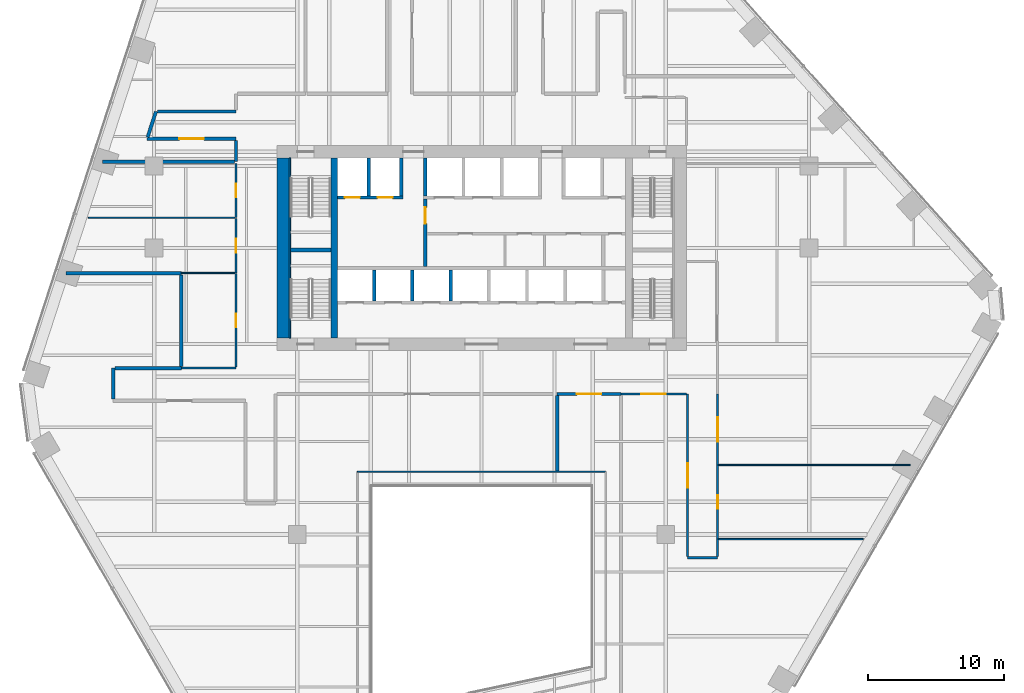
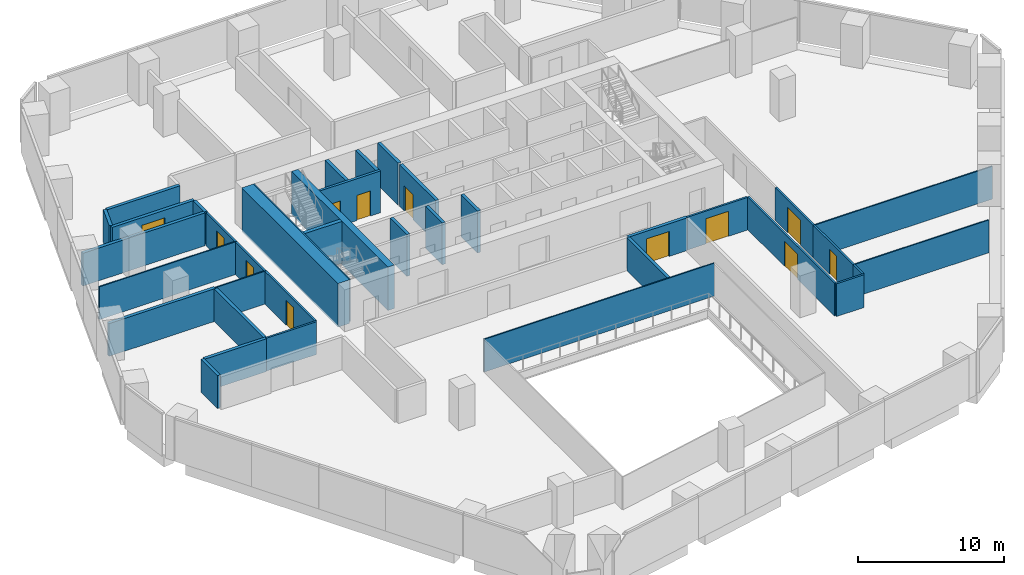
# One storey, part 14 of 21: 38 walls, 12 doors, 12 openings.
"""IFC4 building model written with IfcOpenShell, lengths in metres."""

from ifc_helpers import new_model, si_unit, direction, frame, frame_2d, origin, place, context, subcontext, project, spatial, rectangle, extrude, material, layer, layer_set, type_object, element, fill, save


model = new_model("IFC4")

# Units and contexts
model_context = context("Model", 3, precision=1e-05, world=origin(), true_north=direction((0.0, 1.0)))
body_context = subcontext(model_context, "Body", "Model", "MODEL_VIEW")
ifc_project = project(units=[si_unit("LENGTHUNIT", "METRE"), si_unit("AREAUNIT", "SQUARE_METRE"), si_unit("VOLUMEUNIT", "CUBIC_METRE"), si_unit("PLANEANGLEUNIT", "RADIAN"), si_unit("MASSUNIT", "GRAM", prefix="KILO")], contexts=[model_context])

# Site, building, storey
site_placement = place(None, origin())
site = spatial("IfcSite", under=ifc_project, at=site_placement, CompositionType="ELEMENT")
building_placement = place(site_placement, origin())
building = spatial("IfcBuilding", under=site, at=building_placement, Name="Isthmus Gate Tower", CompositionType="ELEMENT")
storey_placement = place(building_placement, frame((0.0, 0.0, 106.199951171875)))
storey = spatial("IfcBuildingStorey", under=building, at=storey_placement, Name="L25", CompositionType="ELEMENT", Elevation=106.199951171875)

# Wall, opening, door
ifc_material_1 = material(Name="Double-leaf acoustic stud wall, fire-rated", Category="gypsum")
ifc_layer_1 = layer(ifc_material_1, 0.25)
ifc_layer_set_1 = layer_set([ifc_layer_1], Name="ACOUSTIC WALL 250 60 MIN")
wall_type_1 = type_object("IfcWallType", Name="ACOUSTIC WALL 250 60 MIN", PredefinedType="PARTITIONING", material=ifc_layer_set_1)
wall_1_placement = place(storey_placement, frame((10.212890625, -3.199951171875, 0.0), z_axis=(0.0, 0.0, 1.0), x_axis=(-1.0, 0.0, 0.0)))
wall_1 = element("IfcWall", 1, at=wall_1_placement, inside=storey, type_object=wall_type_1, Name="L25 Acoustic Wall 250 60 Min", PredefinedType="PARTITIONING", context=body_context, shape_type="SweptSolid", body=[
    extrude(rectangle(XDim=4.673828125, YDim=0.25, at=frame_2d((2.3369140625, 0.0))), origin(), (0.0, 0.0, 1.0), 2.7412109375),
])
opening_1_placement = place(wall_1_placement, frame((1.43701171875, 0.0, 0.0)))
opening_1 = element("IfcOpeningElement", 2, at=opening_1_placement, cuts=wall_1, Name="Opening DT-T2C-15", PredefinedType="OPENING", context=body_context, shape_type="SweptSolid", body=[
    extrude(rectangle(XDim=1.800048828125, YDim=2.10009765625, at=frame_2d((0.89990234375, 1.050048828125))), frame((0.0, 0.135009765625, 0.0), z_axis=(0.0, -1.0, 0.0), x_axis=(1.0, 0.0, 0.0)), (0.0, 0.0, 1.0), 0.27001953125),
])
ifc_material_2 = material(Name="Solid core timber door leaf, fire-rated", Category="wood")
door_type_1 = type_object("IfcDoorType", Name="FIRE DOOR ACOUSTIC ROOM 1800 X 2100 60 MIN", OperationType="DOUBLE_DOOR_DOUBLE_SWING", PredefinedType="DOOR", material=ifc_material_2)
door_1_placement = place(opening_1_placement, origin())
door_1 = element("IfcDoor", 3, at=door_1_placement, inside=storey, type_object=door_type_1, Name="L25 room door", OperationType="DOUBLE_DOOR_DOUBLE_SWING", OverallHeight=2.10009765625, OverallWidth=1.800048828125, PredefinedType="DOOR", context=body_context, shape_type="SweptSolid", body=[
    extrude(rectangle(XDim=1.800048828125, YDim=2.10009765625, at=frame_2d((0.89990234375, 1.050048828125))), frame((0.0, 0.02490234375, 0.0), z_axis=(0.0, -1.0, 0.0), x_axis=(1.0, 0.0, 0.0)), (0.0, 0.0, 1.0), 0.050048828125),
])
fill(opening_1, door_1)

wall_2_placement = place(storey_placement, frame((-18.0, 15.5, 0.0), z_axis=(0.0, 0.0, 1.0), x_axis=(-1.0, 0.0, 0.0)))
wall_2 = element("IfcWall", 4, at=wall_2_placement, inside=storey, type_object=wall_type_1, Name="L25 Acoustic Wall 250 60 Min", PredefinedType="PARTITIONING", context=body_context, shape_type="SweptSolid", body=[
    extrude(rectangle(XDim=6.510986328125, YDim=0.25, at=frame_2d((3.25537109375, 0.0))), origin(), (0.0, 0.0, 1.0), 2.7412109375),
])
opening_2_placement = place(wall_2_placement, frame((2.35546875, 0.0, 0.0)))
opening_2 = element("IfcOpeningElement", 5, at=opening_2_placement, cuts=wall_2, Name="Opening DT-T2C-01", PredefinedType="OPENING", context=body_context, shape_type="SweptSolid", body=[
    extrude(rectangle(XDim=1.800048828125, YDim=2.10009765625, at=frame_2d((0.89990234375, 1.050048828125))), frame((0.0, 0.135009765625, 0.0), z_axis=(0.0, -1.0, 0.0), x_axis=(1.0, 0.0, 0.0)), (0.0, 0.0, 1.0), 0.27001953125),
])
door_2_placement = place(opening_2_placement, origin())
door_2 = element("IfcDoor", 6, at=door_2_placement, inside=storey, type_object=door_type_1, Name="L25 room door", OperationType="DOUBLE_DOOR_DOUBLE_SWING", OverallHeight=2.10009765625, OverallWidth=1.800048828125, PredefinedType="DOOR", context=body_context, shape_type="SweptSolid", body=[
    extrude(rectangle(XDim=1.800048828125, YDim=2.10009765625, at=frame_2d((0.89990234375, 1.050048828125))), frame((0.0, 0.02490234375, 0.0), z_axis=(0.0, -1.0, 0.0), x_axis=(1.0, 0.0, 0.0)), (0.0, 0.0, 1.0), 0.050048828125),
])
fill(opening_2, door_2)

# Walls
wall_3_placement = place(storey_placement, frame((-24.470458984375, 15.625, 0.0), z_axis=(0.0, 0.0, 1.0), x_axis=(0.309086072338, 0.951034068731, 0.0)))
element("IfcWall", 7, at=wall_3_placement, inside=storey, type_object=wall_type_1, Name="L25 Acoustic Wall 250 60 Min", PredefinedType="PARTITIONING", context=body_context, shape_type="SweptSolid", body=[
    extrude(rectangle(XDim=1.971435546875, YDim=0.25, at=frame_2d((0.98583984375, 0.0))), origin(), (0.0, 0.0, 1.0), 2.7412109375),
])
wall_4_placement = place(storey_placement, frame((-23.736083984375, 17.5, 0.0), z_axis=(0.0, 0.0, 1.0), x_axis=(1.0, 0.0, 0.0)))
element("IfcWall", 8, at=wall_4_placement, inside=storey, type_object=wall_type_1, Name="L25 Acoustic Wall 250 60 Min", PredefinedType="PARTITIONING", context=body_context, shape_type="SweptSolid", body=[
    extrude(rectangle(XDim=5.736083984375, YDim=0.25, at=frame_2d((2.8681640625, 0.0))), origin(), (0.0, 0.0, 1.0), 2.7412109375),
])
wall_5_placement = place(storey_placement, frame((-18.0, 13.830078125, 0.0), z_axis=(0.0, 0.0, 1.0), x_axis=(0.0, 1.0, 0.0)))
element("IfcWall", 9, at=wall_5_placement, inside=storey, type_object=wall_type_1, Name="L25 Acoustic Wall 250 60 Min", PredefinedType="PARTITIONING", context=body_context, shape_type="SweptSolid", body=[
    extrude(rectangle(XDim=1.544921875, YDim=0.25, at=frame_2d((0.7724609375, 0.0))), origin(), (0.0, 0.0, 1.0), 2.7412109375),
])
wall_6_placement = place(storey_placement, frame((-27.787109375, 13.830078125, 0.0), z_axis=(0.0, 0.0, 1.0), x_axis=(1.0, 0.0, 0.0)))
element("IfcWall", 10, at=wall_6_placement, inside=storey, type_object=wall_type_1, Name="L25 Acoustic Wall 250 60 Min", PredefinedType="PARTITIONING", context=body_context, shape_type="SweptSolid", body=[
    extrude(rectangle(XDim=9.662109375, YDim=0.25, at=frame_2d((4.8310546875, 0.0))), origin(), (0.0, 0.0, 1.0), 2.7412109375),
])
wall_7_placement = place(storey_placement, frame((-30.44091796875, 5.660888671875, 0.0), z_axis=(0.0, 0.0, 1.0), x_axis=(1.0, 0.0, 0.0)))
element("IfcWall", 11, at=wall_7_placement, inside=storey, type_object=wall_type_1, Name="L25 Acoustic Wall 250 60 Min", PredefinedType="PARTITIONING", context=body_context, shape_type="SweptSolid", body=[
    extrude(rectangle(XDim=8.44189453125, YDim=0.25, at=frame_2d((4.220947265625, 0.0))), origin(), (0.0, 0.0, 1.0), 2.7412109375),
])
wall_8_placement = place(storey_placement, frame((-27.0, -3.574951171875, 0.0), z_axis=(0.0, 0.0, 1.0), x_axis=(0.0, 1.0, 0.0)))
element("IfcWall", 12, at=wall_8_placement, inside=storey, type_object=wall_type_1, Name="L25 Acoustic Wall 250 60 Min", PredefinedType="PARTITIONING", context=body_context, shape_type="SweptSolid", body=[
    extrude(rectangle(XDim=2.27490234375, YDim=0.25, at=frame_2d((1.137451171875, 0.0))), origin(), (0.0, 0.0, 1.0), 2.7412109375),
])
wall_9_placement = place(storey_placement, frame((-26.875, -1.300048828125, 0.0), z_axis=(0.0, 0.0, 1.0), x_axis=(1.0, 0.0, 0.0)))
element("IfcWall", 13, at=wall_9_placement, inside=storey, type_object=wall_type_1, Name="L25 Acoustic Wall 250 60 Min", PredefinedType="PARTITIONING", context=body_context, shape_type="SweptSolid", body=[
    extrude(rectangle(XDim=4.8759765625, YDim=0.25, at=frame_2d((2.43798828125, 0.0))), origin(), (0.0, 0.0, 1.0), 2.7412109375),
])
wall_10_placement = place(storey_placement, frame((-21.9990234375, -1.175048828125, 0.0), z_axis=(0.0, 0.0, 1.0), x_axis=(0.0, 1.0, 0.0)))
element("IfcWall", 14, at=wall_10_placement, inside=storey, type_object=wall_type_1, Name="L25 Acoustic Wall 250 60 Min", PredefinedType="PARTITIONING", context=body_context, shape_type="SweptSolid", body=[
    extrude(rectangle(XDim=6.7109375, YDim=0.25, at=frame_2d((3.35546875, 0.0))), origin(), (0.0, 0.0, 1.0), 2.7412109375),
])
wall_11_placement = place(storey_placement, frame((5.5390625, -8.85009765625, 0.0), z_axis=(0.0, 0.0, 1.0), x_axis=(0.0, 1.0, 0.0)))
element("IfcWall", 15, at=wall_11_placement, inside=storey, type_object=wall_type_1, Name="L25 Acoustic Wall 250 60 Min", PredefinedType="PARTITIONING", context=body_context, shape_type="SweptSolid", body=[
    extrude(rectangle(XDim=5.525146484375, YDim=0.25, at=frame_2d((2.7626953125, 0.0))), origin(), (0.0, 0.0, 1.0), 2.7412109375),
])
ifc_material_3 = material(Name="Fire-rated laminated glass in steel frame", Category="steel")
ifc_layer_2 = layer(ifc_material_3, 0.10009765625)
ifc_layer_set_2 = layer_set([ifc_layer_2], Name="ATRIUM SCREEN GLAZED WALL 100 120 MIN")
wall_type_2 = type_object("IfcWallType", Name="ATRIUM SCREEN GLAZED WALL 100 120 MIN", PredefinedType="PARTITIONING", material=ifc_layer_set_2)
wall_12_placement = place(storey_placement, frame((-9.10009765625, -8.89990234375, 0.0), z_axis=(0.0, 0.0, 1.0), x_axis=(1.0, 0.0, 0.0)))
element("IfcWall", 16, at=wall_12_placement, inside=storey, type_object=wall_type_2, Name="L25 atrium screen", PredefinedType="PARTITIONING", context=body_context, shape_type="SweptSolid", body=[
    extrude(rectangle(XDim=18.2001953125, YDim=0.10009765625, at=frame_2d((9.10009765625, 0.0))), origin(), (0.0, 0.0, 1.0), 2.7412109375),
])

# Wall, opening, door
ifc_material_4 = material(Name="Gypsum board on steel studs, fire-rated", Category="steel")
ifc_layer_3 = layer(ifc_material_4, 0.14990234375)
ifc_layer_set_3 = layer_set([ifc_layer_3], Name="CORRIDOR WALL 150 60 MIN")
wall_type_3 = type_object("IfcWallType", Name="CORRIDOR WALL 150 60 MIN", PredefinedType="PARTITIONING", material=ifc_layer_set_3)
wall_13_placement = place(storey_placement, frame((15.0, -3.199951171875, 0.0), z_axis=(0.0, 0.0, 1.0), x_axis=(-1.0, 0.0, 0.0)))
wall_13 = element("IfcWall", 17, at=wall_13_placement, inside=storey, type_object=wall_type_3, Name="L25 Corridor Wall 150 60 Min", PredefinedType="PARTITIONING", context=body_context, shape_type="SweptSolid", body=[
    extrude(rectangle(XDim=4.787109375, YDim=0.14990234375, at=frame_2d((2.3935546875, 0.0))), origin(), (0.0, 0.0, 1.0), 2.7412109375),
])
opening_3_placement = place(wall_13_placement, frame((1.493408203125, 0.0, 0.0)))
opening_3 = element("IfcOpeningElement", 18, at=opening_3_placement, cuts=wall_13, Name="Opening DT-T2C-14", PredefinedType="OPENING", context=body_context, shape_type="SweptSolid", body=[
    extrude(rectangle(XDim=1.800048828125, YDim=2.10009765625, at=frame_2d((0.89990234375, 1.050048828125))), frame((0.0, 0.0849609375, 0.0), z_axis=(0.0, -1.0, 0.0), x_axis=(1.0, 0.0, 0.0)), (0.0, 0.0, 1.0), 0.169921875),
])
ifc_material_5 = material(Name="Solid core timber door leaf, fire-rated", Category="wood")
door_type_2 = type_object("IfcDoorType", Name="FIRE DOOR ROOM 1800 X 2100 60 MIN", OperationType="DOUBLE_DOOR_DOUBLE_SWING", PredefinedType="DOOR", material=ifc_material_5)
door_3_placement = place(opening_3_placement, origin())
door_3 = element("IfcDoor", 19, at=door_3_placement, inside=storey, type_object=door_type_2, Name="L25 room door", OperationType="DOUBLE_DOOR_DOUBLE_SWING", OverallHeight=2.10009765625, OverallWidth=1.800048828125, PredefinedType="DOOR", context=body_context, shape_type="SweptSolid", body=[
    extrude(rectangle(XDim=1.800048828125, YDim=2.10009765625, at=frame_2d((0.89990234375, 1.050048828125))), frame((0.0, 0.02490234375, 0.0), z_axis=(0.0, -1.0, 0.0), x_axis=(1.0, 0.0, 0.0)), (0.0, 0.0, 1.0), 0.050048828125),
])
fill(opening_3, door_3)

wall_14_placement = place(storey_placement, frame((17.300048828125, -3.201904296875, 0.0), z_axis=(0.0, 0.0, 1.0), x_axis=(0.0, -1.0, 0.0)))
wall_14 = element("IfcWall", 20, at=wall_14_placement, inside=storey, type_object=wall_type_3, Name="L25 Corridor Wall 150 60 Min", PredefinedType="PARTITIONING", context=body_context, shape_type="SweptSolid", body=[
    extrude(rectangle(XDim=5.197998046875, YDim=0.14990234375, at=frame_2d((2.59912109375, 0.0))), origin(), (0.0, 0.0, 1.0), 2.7412109375),
])
opening_4_placement = place(wall_14_placement, frame((1.698974609375, 0.0, 0.0)))
opening_4 = element("IfcOpeningElement", 21, at=opening_4_placement, cuts=wall_14, Name="Opening DT-T2C-09", PredefinedType="OPENING", context=body_context, shape_type="SweptSolid", body=[
    extrude(rectangle(XDim=1.800048828125, YDim=2.10009765625, at=frame_2d((0.89990234375, 1.050048828125))), frame((0.0, 0.0849609375, 0.0), z_axis=(0.0, -1.0, 0.0), x_axis=(1.0, 0.0, 0.0)), (0.0, 0.0, 1.0), 0.169921875),
])
door_4_placement = place(opening_4_placement, origin())
door_4 = element("IfcDoor", 22, at=door_4_placement, inside=storey, type_object=door_type_2, Name="L25 room door", OperationType="DOUBLE_DOOR_DOUBLE_SWING", OverallHeight=2.10009765625, OverallWidth=1.800048828125, PredefinedType="DOOR", context=body_context, shape_type="SweptSolid", body=[
    extrude(rectangle(XDim=1.800048828125, YDim=2.10009765625, at=frame_2d((0.89990234375, 1.050048828125))), frame((0.0, 0.02490234375, 0.0), z_axis=(0.0, -1.0, 0.0), x_axis=(1.0, 0.0, 0.0)), (0.0, 0.0, 1.0), 0.050048828125),
])
fill(opening_4, door_4)

wall_15_placement = place(storey_placement, frame((17.300048828125, -8.39990234375, 0.0), z_axis=(0.0, 0.0, 1.0), x_axis=(0.0, -1.0, 0.0)))
wall_15 = element("IfcWall", 23, at=wall_15_placement, inside=storey, type_object=wall_type_3, Name="L25 Corridor Wall 150 60 Min", PredefinedType="PARTITIONING", context=body_context, shape_type="SweptSolid", body=[
    extrude(rectangle(XDim=5.439208984375, YDim=0.14990234375, at=frame_2d((2.7197265625, 0.0))), origin(), (0.0, 0.0, 1.0), 2.7412109375),
])
opening_5_placement = place(wall_15_placement, frame((2.219482421875, 0.0, 0.0)))
opening_5 = element("IfcOpeningElement", 24, at=opening_5_placement, cuts=wall_15, Name="Opening DT-T2C-12", PredefinedType="OPENING", context=body_context, shape_type="SweptSolid", body=[
    extrude(rectangle(XDim=1.0, YDim=2.10009765625, at=frame_2d((0.5, 1.050048828125))), frame((0.0, 0.0849609375, 0.0), z_axis=(0.0, -1.0, 0.0), x_axis=(1.0, 0.0, 0.0)), (0.0, 0.0, 1.0), 0.169921875),
])
ifc_material_6 = material(Name="Solid core timber door leaf, fire-rated", Category="wood")
door_type_3 = type_object("IfcDoorType", Name="FIRE DOOR ROOM 1000 X 2100 60 MIN", OperationType="SINGLE_SWING_LEFT", PredefinedType="DOOR", material=ifc_material_6)
door_5_placement = place(opening_5_placement, origin())
door_5 = element("IfcDoor", 25, at=door_5_placement, inside=storey, type_object=door_type_3, Name="L25 room door", OperationType="SINGLE_SWING_RIGHT", OverallHeight=2.10009765625, OverallWidth=1.0, PredefinedType="DOOR", context=body_context, shape_type="SweptSolid", body=[
    extrude(rectangle(XDim=1.0, YDim=2.10009765625, at=frame_2d((0.5, 1.050048828125))), frame((0.0, 0.02490234375, 0.0), z_axis=(0.0, -1.0, 0.0), x_axis=(1.0, 0.0, 0.0)), (0.0, 0.0, 1.0), 0.050048828125),
])
fill(opening_5, door_5)

# Walls
wall_16_placement = place(storey_placement, frame((17.300048828125, -15.199951171875, 0.0), z_axis=(0.0, 0.0, 1.0), x_axis=(-1.0, 0.0, 0.0)))
element("IfcWall", 26, at=wall_16_placement, inside=storey, type_object=wall_type_3, Name="L25 Corridor Wall 150 60 Min", PredefinedType="PARTITIONING", context=body_context, shape_type="SweptSolid", body=[
    extrude(rectangle(XDim=2.199951171875, YDim=0.14990234375, at=frame_2d((1.10009765625, 0.0))), origin(), (0.0, 0.0, 1.0), 2.7412109375),
])
wall_17_placement = place(storey_placement, frame((17.300048828125, -13.839111328125, 0.0), z_axis=(0.0, 0.0, 1.0), x_axis=(0.0, -1.0, 0.0)))
element("IfcWall", 27, at=wall_17_placement, inside=storey, type_object=wall_type_3, Name="L25 Corridor Wall 150 60 Min", PredefinedType="PARTITIONING", context=body_context, shape_type="SweptSolid", body=[
    extrude(rectangle(XDim=1.285888671875, YDim=0.14990234375, at=frame_2d((0.64306640625, 0.0))), origin(), (0.0, 0.0, 1.0), 2.7412109375),
])

# Wall, opening, door
wall_18_placement = place(storey_placement, frame((-18.0, 9.714111328125, 0.0), z_axis=(0.0, 0.0, 1.0), x_axis=(0.0, 1.0, 0.0)))
wall_18 = element("IfcWall", 28, at=wall_18_placement, inside=storey, type_object=wall_type_3, Name="L25 Corridor Wall 150 60 Min", PredefinedType="PARTITIONING", context=body_context, shape_type="SweptSolid", body=[
    extrude(rectangle(XDim=3.990966796875, YDim=0.14990234375, at=frame_2d((1.99560546875, 0.0))), origin(), (0.0, 0.0, 1.0), 2.7412109375),
])
opening_6_placement = place(wall_18_placement, frame((1.49560546875, 0.0, 0.0)))
opening_6 = element("IfcOpeningElement", 29, at=opening_6_placement, cuts=wall_18, Name="Opening DT-T2C-05", PredefinedType="OPENING", context=body_context, shape_type="SweptSolid", body=[
    extrude(rectangle(XDim=1.0, YDim=2.10009765625, at=frame_2d((0.5, 1.050048828125))), frame((0.0, 0.0849609375, 0.0), z_axis=(0.0, -1.0, 0.0), x_axis=(1.0, 0.0, 0.0)), (0.0, 0.0, 1.0), 0.169921875),
])
door_6_placement = place(opening_6_placement, origin())
door_6 = element("IfcDoor", 30, at=door_6_placement, inside=storey, type_object=door_type_3, Name="L25 room door", OperationType="SINGLE_SWING_RIGHT", OverallHeight=2.10009765625, OverallWidth=1.0, PredefinedType="DOOR", context=body_context, shape_type="SweptSolid", body=[
    extrude(rectangle(XDim=1.0, YDim=2.10009765625, at=frame_2d((0.5, 1.050048828125))), frame((0.0, 0.02490234375, 0.0), z_axis=(0.0, -1.0, 0.0), x_axis=(1.0, 0.0, 0.0)), (0.0, 0.0, 1.0), 0.050048828125),
])
fill(opening_6, door_6)

wall_19_placement = place(storey_placement, frame((-18.0, 5.660888671875, 0.0), z_axis=(0.0, 0.0, 1.0), x_axis=(0.0, 1.0, 0.0)))
wall_19 = element("IfcWall", 31, at=wall_19_placement, inside=storey, type_object=wall_type_3, Name="L25 Corridor Wall 150 60 Min", PredefinedType="PARTITIONING", context=body_context, shape_type="SweptSolid", body=[
    extrude(rectangle(XDim=4.003173828125, YDim=0.14990234375, at=frame_2d((2.00146484375, 0.0))), origin(), (0.0, 0.0, 1.0), 2.7412109375),
])
opening_7_placement = place(wall_19_placement, frame((1.50146484375, 0.0, 0.0)))
opening_7 = element("IfcOpeningElement", 32, at=opening_7_placement, cuts=wall_19, Name="Opening DT-T2C-06", PredefinedType="OPENING", context=body_context, shape_type="SweptSolid", body=[
    extrude(rectangle(XDim=1.0, YDim=2.10009765625, at=frame_2d((0.5, 1.050048828125))), frame((0.0, 0.0849609375, 0.0), z_axis=(0.0, -1.0, 0.0), x_axis=(1.0, 0.0, 0.0)), (0.0, 0.0, 1.0), 0.169921875),
])
door_7_placement = place(opening_7_placement, origin())
door_7 = element("IfcDoor", 33, at=door_7_placement, inside=storey, type_object=door_type_3, Name="L25 room door", OperationType="SINGLE_SWING_RIGHT", OverallHeight=2.10009765625, OverallWidth=1.0, PredefinedType="DOOR", context=body_context, shape_type="SweptSolid", body=[
    extrude(rectangle(XDim=1.0, YDim=2.10009765625, at=frame_2d((0.5, 1.050048828125))), frame((0.0, 0.02490234375, 0.0), z_axis=(0.0, -1.0, 0.0), x_axis=(1.0, 0.0, 0.0)), (0.0, 0.0, 1.0), 0.050048828125),
])
fill(opening_7, door_7)

# Wall
wall_20_placement = place(storey_placement, frame((-21.9990234375, -1.300048828125, 0.0), z_axis=(0.0, 0.0, 1.0), x_axis=(1.0, 0.0, 0.0)))
element("IfcWall", 34, at=wall_20_placement, inside=storey, type_object=wall_type_3, Name="L25 Corridor Wall 150 60 Min", PredefinedType="PARTITIONING", context=body_context, shape_type="SweptSolid", body=[
    extrude(rectangle(XDim=3.9990234375, YDim=0.14990234375, at=frame_2d((1.99951171875, 0.0))), origin(), (0.0, 0.0, 1.0), 2.7412109375),
])

# Wall, opening, door
wall_21_placement = place(storey_placement, frame((-18.0, -1.22509765625, 0.0), z_axis=(0.0, 0.0, 1.0), x_axis=(0.0, 1.0, 0.0)))
wall_21 = element("IfcWall", 35, at=wall_21_placement, inside=storey, type_object=wall_type_3, Name="L25 Corridor Wall 150 60 Min", PredefinedType="PARTITIONING", context=body_context, shape_type="SweptSolid", body=[
    extrude(rectangle(XDim=6.836181640625, YDim=0.14990234375, at=frame_2d((3.41796875, 0.0))), origin(), (0.0, 0.0, 1.0), 2.7412109375),
])
opening_8_placement = place(wall_21_placement, frame((2.91796875, 0.0, 0.0)))
opening_8 = element("IfcOpeningElement", 36, at=opening_8_placement, cuts=wall_21, Name="Opening DT-T2C-07", PredefinedType="OPENING", context=body_context, shape_type="SweptSolid", body=[
    extrude(rectangle(XDim=1.0, YDim=2.10009765625, at=frame_2d((0.5, 1.050048828125))), frame((0.0, 0.0849609375, 0.0), z_axis=(0.0, -1.0, 0.0), x_axis=(1.0, 0.0, 0.0)), (0.0, 0.0, 1.0), 0.169921875),
])
door_8_placement = place(opening_8_placement, origin())
door_8 = element("IfcDoor", 37, at=door_8_placement, inside=storey, type_object=door_type_3, Name="L25 room door", OperationType="SINGLE_SWING_RIGHT", OverallHeight=2.10009765625, OverallWidth=1.0, PredefinedType="DOOR", context=body_context, shape_type="SweptSolid", body=[
    extrude(rectangle(XDim=1.0, YDim=2.10009765625, at=frame_2d((0.5, 1.050048828125))), frame((0.0, 0.02490234375, 0.0), z_axis=(0.0, -1.0, 0.0), x_axis=(1.0, 0.0, 0.0)), (0.0, 0.0, 1.0), 0.050048828125),
])
fill(opening_8, door_8)

wall_22_placement = place(storey_placement, frame((15.10009765625, -15.125, 0.0), z_axis=(0.0, 0.0, 1.0), x_axis=(0.0, 1.0, 0.0)))
wall_22 = element("IfcWall", 38, at=wall_22_placement, inside=storey, type_object=wall_type_3, Name="L25 Corridor Wall 150 60 Min", PredefinedType="PARTITIONING", context=body_context, shape_type="SweptSolid", body=[
    extrude(rectangle(XDim=11.925048828125, YDim=0.14990234375, at=frame_2d((5.96240234375, 0.0))), origin(), (0.0, 0.0, 1.0), 2.7412109375),
])
opening_9_placement = place(wall_22_placement, frame((5.0625, 0.0, 0.0)))
opening_9 = element("IfcOpeningElement", 39, at=opening_9_placement, cuts=wall_22, Name="Opening DT-T2C-13", PredefinedType="OPENING", context=body_context, shape_type="SweptSolid", body=[
    extrude(rectangle(XDim=1.800048828125, YDim=2.10009765625, at=frame_2d((0.89990234375, 1.050048828125))), frame((0.0, 0.0849609375, 0.0), z_axis=(0.0, -1.0, 0.0), x_axis=(1.0, 0.0, 0.0)), (0.0, 0.0, 1.0), 0.169921875),
])
door_9_placement = place(opening_9_placement, origin())
door_9 = element("IfcDoor", 40, at=door_9_placement, inside=storey, type_object=door_type_2, Name="L25 room door", OperationType="DOUBLE_DOOR_DOUBLE_SWING", OverallHeight=2.10009765625, OverallWidth=1.800048828125, PredefinedType="DOOR", context=body_context, shape_type="SweptSolid", body=[
    extrude(rectangle(XDim=1.800048828125, YDim=2.10009765625, at=frame_2d((0.89990234375, 1.050048828125))), frame((0.0, 0.02490234375, 0.0), z_axis=(0.0, -1.0, 0.0), x_axis=(1.0, 0.0, 0.0)), (0.0, 0.0, 1.0), 0.050048828125),
])
fill(opening_9, door_9)

ifc_material_7 = material(Name="Fire-rated blockwork masonry, 15 MPa", Category="masonry")
ifc_layer_4 = layer(ifc_material_7, 0.25)
ifc_layer_set_4 = layer_set([ifc_layer_4], Name="FIRE-FIGHTING LOBBY WALL 250 90 MIN")
wall_type_4 = type_object("IfcWallType", Name="FIRE-FIGHTING LOBBY WALL 250 90 MIN", PredefinedType="PARTITIONING", material=ifc_layer_set_4)
wall_23_placement = place(storey_placement, frame((-4.125, 6.14990234375, 0.0), z_axis=(0.0, 0.0, 1.0), x_axis=(0.0, 1.0, 0.0)))
wall_23 = element("IfcWall", 41, at=wall_23_placement, inside=storey, type_object=wall_type_4, Name="L25 FIRE-FIGHTING LOBBY WALL 250 90 MIN", PredefinedType="PARTITIONING", context=body_context, shape_type="SweptSolid", body=[
    extrude(rectangle(XDim=4.9501953125, YDim=0.25, at=frame_2d((2.47509765625, 0.0))), origin(), (0.0, 0.0, 1.0), 3.5),
])
opening_10_placement = place(wall_23_placement, frame((3.125, 0.0, 0.0)))
opening_10 = element("IfcOpeningElement", 42, at=opening_10_placement, cuts=wall_23, Name="Opening DC-A02-01", PredefinedType="OPENING", context=body_context, shape_type="SweptSolid", body=[
    extrude(rectangle(XDim=1.199951171875, YDim=2.10009765625, at=frame_2d((0.60009765625, 1.050048828125))), frame((0.0, 0.135009765625, 0.0), z_axis=(0.0, -1.0, 0.0), x_axis=(1.0, 0.0, 0.0)), (0.0, 0.0, 1.0), 0.27001953125),
])
ifc_material_8 = material(Name="Steel door leaf, fire-rated", Category="steel")
door_type_4 = type_object("IfcDoorType", Name="LOBBY FIRE DOOR 1200 X 2100 90 MIN", OperationType="DOUBLE_DOOR_SINGLE_SWING", PredefinedType="DOOR", material=ifc_material_8)
door_10_placement = place(opening_10_placement, origin())
door_10 = element("IfcDoor", 43, at=door_10_placement, inside=storey, type_object=door_type_4, Name="Fire-fighting Lobby Door", OperationType="SINGLE_SWING_LEFT", OverallHeight=2.10009765625, OverallWidth=1.199951171875, PredefinedType="DOOR", context=body_context, shape_type="SweptSolid", body=[
    extrude(rectangle(XDim=1.199951171875, YDim=2.10009765625, at=frame_2d((0.60009765625, 1.050048828125))), frame((0.0, 0.02490234375, 0.0), z_axis=(0.0, -1.0, 0.0), x_axis=(1.0, 0.0, 0.0)), (0.0, 0.0, 1.0), 0.050048828125),
])
fill(opening_10, door_10)

# Walls
ifc_material_9 = material(Name="Concrete f'c 70 MPa", Category="concrete")
ifc_layer_5 = layer(ifc_material_9, 0.5)
ifc_layer_set_5 = layer_set([ifc_layer_5], Name="RC CORE SPINE WALL 500 F'C 70")
wall_type_5 = type_object("IfcWallType", Name="RC CORE SPINE WALL 500 F'C 70", PredefinedType="SOLIDWALL", material=ifc_layer_set_5)
wall_24_placement = place(storey_placement, frame((-10.800048828125, 0.89990234375, -0.14990234375), z_axis=(0.0, 0.0, 1.0), x_axis=(0.0, 1.0, 0.0)))
element("IfcWall", 44, at=wall_24_placement, inside=storey, type_object=wall_type_5, Name="str-corewall-L25-SPW", PredefinedType="SOLIDWALL", context=body_context, shape_type="SweptSolid", body=[
    extrude(rectangle(XDim=13.2001953125, YDim=0.5, at=frame_2d((6.60009765625, 0.0))), origin(), (0.0, 0.0, 1.0), 3.64990234375),
])
ifc_material_10 = material(Name="Concrete f'c 70 MPa", Category="concrete")
ifc_layer_6 = layer(ifc_material_10, 0.89990234375)
ifc_layer_set_6 = layer_set([ifc_layer_6], Name="RC CORE WALL 900 F'C 70")
wall_type_6 = type_object("IfcWallType", Name="RC CORE WALL 900 F'C 70", PredefinedType="SOLIDWALL", material=ifc_layer_set_6)
wall_25_placement = place(storey_placement, frame((-14.550048828125, 0.89990234375, -0.14990234375), z_axis=(0.0, 0.0, 1.0), x_axis=(0.0, 1.0, 0.0)))
element("IfcWall", 45, at=wall_25_placement, inside=storey, type_object=wall_type_6, Name="str-corewall-L25-W", PredefinedType="SOLIDWALL", context=body_context, shape_type="SweptSolid", body=[
    extrude(rectangle(XDim=13.2001953125, YDim=0.89990234375, at=frame_2d((6.60009765625, 0.0))), origin(), (0.0, 0.0, 1.0), 3.64990234375),
])
ifc_material_11 = material(Name="Gypsum board on steel studs, fire-rated", Category="steel")
ifc_layer_7 = layer(ifc_material_11, 0.10009765625)
ifc_layer_set_7 = layer_set([ifc_layer_7], Name="ROOM PARTITION 100 30 MIN")
wall_type_7 = type_object("IfcWallType", Name="ROOM PARTITION 100 30 MIN", PredefinedType="PARTITIONING", material=ifc_layer_set_7)
wall_26_placement = place(storey_placement, frame((-28.823974609375, 9.714111328125, 0.0), z_axis=(0.0, 0.0, 1.0), x_axis=(1.0, 0.0, 0.0)))
element("IfcWall", 46, at=wall_26_placement, inside=storey, type_object=wall_type_7, Name="L25 Room Partition 100 30 Min", PredefinedType="PARTITIONING", context=body_context, shape_type="SweptSolid", body=[
    extrude(rectangle(XDim=10.7490234375, YDim=0.10009765625, at=frame_2d((5.37451171875, 0.0))), origin(), (0.0, 0.0, 1.0), 2.7412109375),
])
wall_27_placement = place(storey_placement, frame((-21.9990234375, 5.660888671875, 0.0), z_axis=(0.0, 0.0, 1.0), x_axis=(1.0, 0.0, 0.0)))
element("IfcWall", 47, at=wall_27_placement, inside=storey, type_object=wall_type_7, Name="L25 Room Partition 100 30 Min", PredefinedType="PARTITIONING", context=body_context, shape_type="SweptSolid", body=[
    extrude(rectangle(XDim=3.924072265625, YDim=0.10009765625, at=frame_2d((1.9619140625, 0.0))), origin(), (0.0, 0.0, 1.0), 2.7412109375),
])
wall_28_placement = place(storey_placement, frame((17.375, -8.39990234375, 0.0), z_axis=(0.0, 0.0, 1.0), x_axis=(1.0, 0.0, 0.0)))
element("IfcWall", 48, at=wall_28_placement, inside=storey, type_object=wall_type_7, Name="L25 Room Partition 100 30 Min", PredefinedType="PARTITIONING", context=body_context, shape_type="SweptSolid", body=[
    extrude(rectangle(XDim=14.032958984375, YDim=0.10009765625, at=frame_2d((7.0166015625, 0.0))), origin(), (0.0, 0.0, 1.0), 2.7412109375),
])
wall_29_placement = place(storey_placement, frame((17.375, -13.839111328125, 0.0), z_axis=(0.0, 0.0, 1.0), x_axis=(1.0, 0.0, 0.0)))
element("IfcWall", 49, at=wall_29_placement, inside=storey, type_object=wall_type_7, Name="L25 Room Partition 100 30 Min", PredefinedType="PARTITIONING", context=body_context, shape_type="SweptSolid", body=[
    extrude(rectangle(XDim=10.592041015625, YDim=0.10009765625, at=frame_2d((5.2958984375, 0.0))), origin(), (0.0, 0.0, 1.0), 2.7412109375),
])

# Wall, openings, doors
ifc_material_12 = material(Name="Fire-rated blockwork masonry, 15 MPa", Category="masonry")
ifc_layer_8 = layer(ifc_material_12, 0.199951171875)
ifc_layer_set_8 = layer_set([ifc_layer_8], Name="SHAFT FRONT WALL 200 120 MIN")
wall_type_8 = type_object("IfcWallType", Name="SHAFT FRONT WALL 200 120 MIN", PredefinedType="PARTITIONING", material=ifc_layer_set_8)
wall_30_placement = place(storey_placement, frame((-10.550048828125, 11.199951171875, 0.0), z_axis=(0.0, 0.0, 1.0), x_axis=(1.0, 0.0, 0.0)))
wall_30 = element("IfcWall", 50, at=wall_30_placement, inside=storey, type_object=wall_type_8, Name="L25 SHAFT FRONT WALL 200 120 MIN", PredefinedType="PARTITIONING", context=body_context, shape_type="SweptSolid", body=[
    extrude(rectangle(XDim=4.800048828125, YDim=0.199951171875, at=frame_2d((2.39990234375, 0.0))), origin(), (0.0, 0.0, 1.0), 3.5),
])
opening_11_placement = place(wall_30_placement, frame((0.52490234375, 0.0, 0.0)))
opening_11 = element("IfcOpeningElement", 51, at=opening_11_placement, cuts=wall_30, Name="Opening LD-LF1", PredefinedType="OPENING", context=body_context, shape_type="SweptSolid", body=[
    extrude(rectangle(XDim=1.10009765625, YDim=2.10009765625, at=frame_2d((0.550048828125, 1.050048828125))), frame((0.0, 0.10986328125, 0.0), z_axis=(0.0, -1.0, 0.0), x_axis=(1.0, 0.0, 0.0)), (0.0, 0.0, 1.0), 0.219970703125),
])
opening_12_placement = place(wall_30_placement, frame((2.925048828125, 0.0, 0.0)))
opening_12 = element("IfcOpeningElement", 52, at=opening_12_placement, cuts=wall_30, Name="Opening LD-LF2", PredefinedType="OPENING", context=body_context, shape_type="SweptSolid", body=[
    extrude(rectangle(XDim=1.10009765625, YDim=2.10009765625, at=frame_2d((0.550048828125, 1.050048828125))), frame((0.0, 0.10986328125, 0.0), z_axis=(0.0, -1.0, 0.0), x_axis=(1.0, 0.0, 0.0)), (0.0, 0.0, 1.0), 0.219970703125),
])
ifc_material_13 = material(Name="Stainless steel sliding leaf", Category="steel")
door_type_5 = type_object("IfcDoorType", Name="LIFT LANDING FIRE DOOR 1100 X 2100 90 MIN", OperationType="DOUBLE_DOOR_SLIDING", PredefinedType="DOOR", material=ifc_material_13)
door_11_placement = place(opening_11_placement, origin())
door_11 = element("IfcDoor", 53, at=door_11_placement, inside=storey, type_object=door_type_5, Name="Lift Landing Door LF1", OperationType="DOUBLE_DOOR_SLIDING", OverallHeight=2.10009765625, OverallWidth=1.10009765625, PredefinedType="DOOR", context=body_context, shape_type="SweptSolid", body=[
    extrude(rectangle(XDim=1.10009765625, YDim=2.10009765625, at=frame_2d((0.550048828125, 1.050048828125))), frame((0.0, 0.02490234375, 0.0), z_axis=(0.0, -1.0, 0.0), x_axis=(1.0, 0.0, 0.0)), (0.0, 0.0, 1.0), 0.050048828125),
])
fill(opening_11, door_11)
door_12_placement = place(opening_12_placement, origin())
door_12 = element("IfcDoor", 54, at=door_12_placement, inside=storey, type_object=door_type_5, Name="Lift Landing Door LF2", OperationType="DOUBLE_DOOR_SLIDING", OverallHeight=2.10009765625, OverallWidth=1.10009765625, PredefinedType="DOOR", context=body_context, shape_type="SweptSolid", body=[
    extrude(rectangle(XDim=1.10009765625, YDim=2.10009765625, at=frame_2d((0.550048828125, 1.050048828125))), frame((0.0, 0.02490234375, 0.0), z_axis=(0.0, -1.0, 0.0), x_axis=(1.0, 0.0, 0.0)), (0.0, 0.0, 1.0), 0.050048828125),
])
fill(opening_12, door_12)

# Walls
ifc_material_14 = material(Name="Fire-rated blockwork masonry, 15 MPa", Category="masonry")
ifc_layer_9 = layer(ifc_material_14, 0.25)
ifc_layer_set_9 = layer_set([ifc_layer_9], Name="SHAFT WALL 250 120 MIN")
wall_type_9 = type_object("IfcWallType", Name="SHAFT WALL 250 120 MIN", PredefinedType="PARTITIONING", material=ifc_layer_set_9)
for number, where, z_axis, x_axis, name in (
    (55, (-7.875, 3.60009765625, 0.0), (0.0, 0.0, 1.0), (0.0, 1.0, 0.0), "L25 SHAFT WALL 250 120 MIN"),
    (56, (-5.074951171875, 3.60009765625, 0.0), (0.0, 0.0, 1.0), (0.0, 1.0, 0.0), "L25 SHAFT WALL 250 120 MIN"),
    (57, (-2.27490234375, 3.60009765625, 0.0), (0.0, 0.0, 1.0), (0.0, 1.0, 0.0), "L25 SHAFT WALL 250 120 MIN"),
):
    element("IfcWall", number, at=place(storey_placement, frame(where, z_axis=z_axis, x_axis=x_axis)), inside=storey, type_object=wall_type_9, Name=name, PredefinedType="PARTITIONING", context=body_context, shape_type="SweptSolid", body=[
        extrude(rectangle(XDim=2.2998046875, YDim=0.25, at=frame_2d((1.14990234375, 0.0))), origin(), (0.0, 0.0, 1.0), 3.5),
    ])
for number, where, z_axis, x_axis, name in (
    (58, (-8.27490234375, 11.300048828125, 0.0), (0.0, 0.0, 1.0), (0.0, 1.0, 0.0), "L25 SHAFT WALL 250 120 MIN"),
    (59, (-5.875, 11.300048828125, 0.0), (0.0, 0.0, 1.0), (0.0, 1.0, 0.0), "L25 SHAFT WALL 250 120 MIN"),
    (60, (-4.125, 11.300048828125, 0.0), (0.0, 0.0, 1.0), (0.0, 1.0, 0.0), "L25 SHAFT WALL 250 120 MIN"),
):
    element("IfcWall", number, at=place(storey_placement, frame(where, z_axis=z_axis, x_axis=x_axis)), inside=storey, type_object=wall_type_9, Name=name, PredefinedType="PARTITIONING", context=body_context, shape_type="SweptSolid", body=[
        extrude(rectangle(XDim=2.800048828125, YDim=0.25, at=frame_2d((1.39990234375, 0.0))), origin(), (0.0, 0.0, 1.0), 3.5),
    ])
ifc_material_15 = material(Name="Concrete f'c 40 MPa", Category="concrete")
ifc_layer_10 = layer(ifc_material_15, 0.10009765625)
ifc_layer_set_10 = layer_set([ifc_layer_10], Name="STAIR ENCLOSURE WALL 100 180 MIN")
wall_type_10 = type_object("IfcWallType", Name="STAIR ENCLOSURE WALL 100 180 MIN", PredefinedType="SOLIDWALL", material=ifc_layer_set_10)
wall_31_placement = place(storey_placement, frame((-14.050048828125, 0.89990234375, 0.0), z_axis=(0.0, 0.0, 1.0), x_axis=(0.0, 1.0, 0.0)))
element("IfcWall", 61, at=wall_31_placement, inside=storey, type_object=wall_type_10, Name="L25 STAIR ENCLOSURE WALL 100 180 MIN", PredefinedType="SOLIDWALL", context=body_context, shape_type="SweptSolid", body=[
    extrude(rectangle(XDim=13.2001953125, YDim=0.10009765625, at=frame_2d((6.60009765625, 0.0))), origin(), (0.0, 0.0, 1.0), 3.5),
])
ifc_material_16 = material(Name="Concrete f'c 40 MPa", Category="concrete")
ifc_layer_11 = layer(ifc_material_16, 0.300048828125)
ifc_layer_set_11 = layer_set([ifc_layer_11], Name="STAIR ENCLOSURE WALL 300 180 MIN")
wall_type_11 = type_object("IfcWallType", Name="STAIR ENCLOSURE WALL 300 180 MIN", PredefinedType="SOLIDWALL", material=ifc_layer_set_11)
wall_32_placement = place(storey_placement, frame((-14.0, 7.35009765625, 0.0), z_axis=(0.0, 0.0, 1.0), x_axis=(1.0, 0.0, 0.0)))
element("IfcWall", 62, at=wall_32_placement, inside=storey, type_object=wall_type_11, Name="L25 STAIR ENCLOSURE WALL 300 180 MIN", PredefinedType="SOLIDWALL", context=body_context, shape_type="SweptSolid", body=[
    extrude(rectangle(XDim=2.949951171875, YDim=0.300048828125, at=frame_2d((1.47509765625, 0.0))), origin(), (0.0, 0.0, 1.0), 3.5),
])

save(model, "model.ifc")
